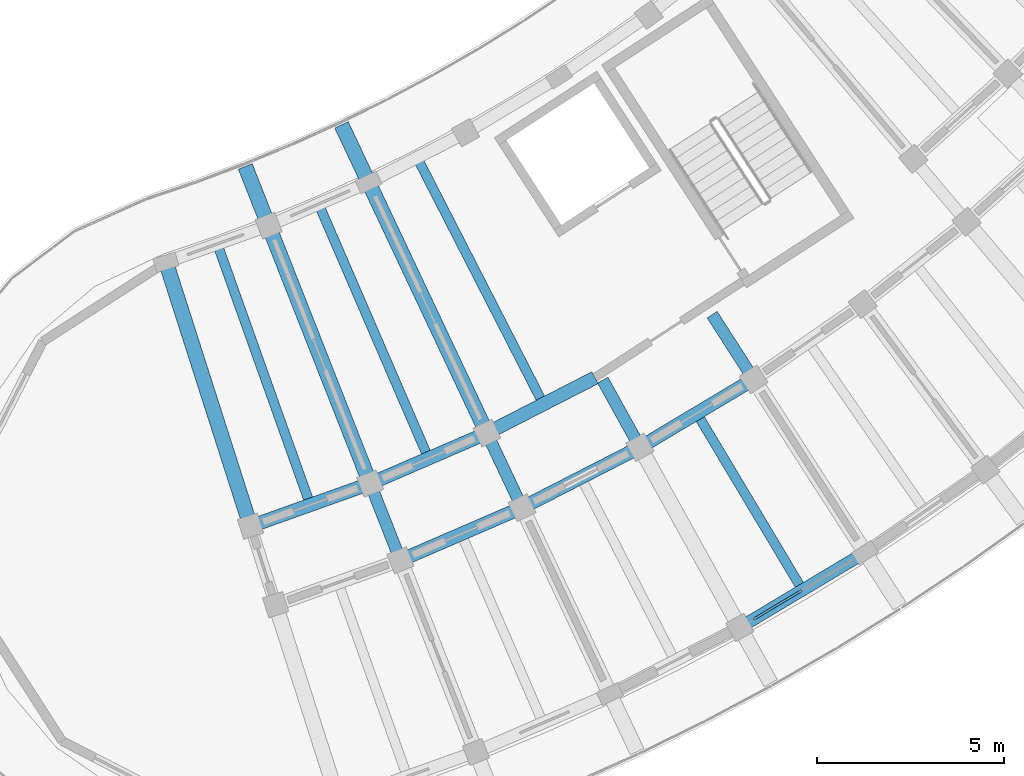
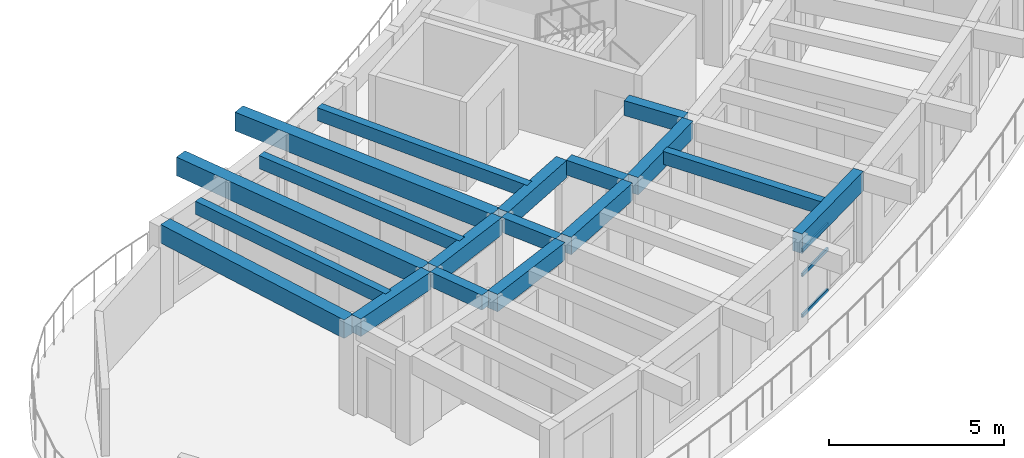
# One storey, part 17 of 78: 18 beams, 3 members, 1 element without a shape of its own.
"""IFC4 building model written with IfcOpenShell, lengths in metres."""

from ifc_helpers import new_model, si_unit, direction, frame, origin, origin_2d, place, context, subcontext, project, spatial, rectangle, hollow_rectangle, extrude, material, material_profile, profile_set, type_object, element, aggregate, save


model = new_model("IFC4")

# Units and contexts
model_context = context("Model", 3, precision=1e-05, world=origin(), true_north=direction((0.0, 1.0)))
body_context = subcontext(model_context, "Body", "Model", "MODEL_VIEW")
ifc_project = project(units=[si_unit("LENGTHUNIT", "METRE"), si_unit("AREAUNIT", "SQUARE_METRE"), si_unit("VOLUMEUNIT", "CUBIC_METRE"), si_unit("PLANEANGLEUNIT", "RADIAN"), si_unit("MASSUNIT", "GRAM", prefix="KILO")], contexts=[model_context])

# Site, building, storey
site_placement = place(None, origin())
site = spatial("IfcSite", under=ifc_project, at=site_placement, CompositionType="ELEMENT")
building_placement = place(site_placement, origin())
building = spatial("IfcBuilding", under=site, at=building_placement, Name="Tanwirah Colonnade Gardens", CompositionType="ELEMENT")
storey_placement = place(building_placement, frame((0.0, 0.0, 22.280029296875)))
storey = spatial("IfcBuildingStorey", under=building, at=storey_placement, Name="L06", CompositionType="ELEMENT", Elevation=22.280029296875)

# Beams
ifc_material_1 = material(Name="Precast concrete C40/50", Category="concrete")
ifc_material_profile_1 = material_profile(ifc_material_1, rectangle(XDim=0.360107421875, YDim=0.610107421875, at=origin_2d()), Name="PC-BM 360x610")
ifc_profile_set_1 = profile_set([ifc_material_profile_1], Name="Precast concrete C40/50")
beam_type_1 = type_object("IfcBeamType", Name="BM-PC300", PredefinedType="BEAM", material=ifc_profile_set_1)
for number, where, z_axis, x_axis, name in (
    (1, (136.948486328125, 15.168701171875, 2.804931640625), (0.941911444877, 0.335861325564, 0.0), (-0.335861325564, 0.941911444877, 0.0), "Block D L06 Circumferential Beam 1-R1"),
    (2, (140.140869140625, 16.3173828125, 2.804931640625), (0.917936292782, 0.396727819032, 0.0), (-0.396727819032, 0.917936292782, 0.0), "Block D L06 Circumferential Beam 2-R1"),
):
    element("IfcBeam", number, at=place(storey_placement, frame(where, z_axis=z_axis, x_axis=x_axis)), inside=storey, type_object=beam_type_1, Name=name, PredefinedType="BEAM", context=body_context, shape_type="SweptSolid", body=[
        extrude(rectangle(XDim=0.360107421875, YDim=0.610107421875, at=origin_2d()), origin(), (0.0, 0.0, 1.0), 3.093017578125),
    ])
beam_1_placement = place(storey_placement, frame((140.947021484375, 14.2705078125, 2.804931640625), z_axis=(0.917943156181, 0.396711938338, 0.0), x_axis=(-0.396711938338, 0.917943156181, 0.0)))
element("IfcBeam", 3, at=beam_1_placement, inside=storey, type_object=beam_type_1, Name="Block D L06 Circumferential Beam 2-R2", PredefinedType="BEAM", context=body_context, shape_type="SweptSolid", body=[
    extrude(rectangle(XDim=0.360107421875, YDim=0.610107421875, at=origin_2d()), origin(), (0.0, 0.0, 1.0), 3.237060546875),
])
beam_2_placement = place(storey_placement, frame((143.2509765625, 17.67236328125, 2.804931640625), z_axis=(0.890027741769, 0.45590637074, 0.0), x_axis=(-0.45590637074, 0.890027741769, 0.0)))
element("IfcBeam", 4, at=beam_2_placement, inside=storey, type_object=beam_type_1, Name="Block D L06 Circumferential Beam 3-R1", PredefinedType="BEAM", context=body_context, shape_type="SweptSolid", body=[
    extrude(rectangle(XDim=0.360107421875, YDim=0.610107421875, at=origin_2d()), origin(), (0.0, 0.0, 1.0), 3.093017578125),
])
beam_3_placement = place(storey_placement, frame((144.189453125, 15.6826171875, 2.804931640625), z_axis=(0.890025451153, 0.45591084249, 0.0), x_axis=(-0.45591084249, 0.890025451153, 0.0)))
element("IfcBeam", 5, at=beam_3_placement, inside=storey, type_object=beam_type_1, Name="Block D L06 Circumferential Beam 3-R2", PredefinedType="BEAM", context=body_context, shape_type="SweptSolid", body=[
    extrude(rectangle(XDim=0.360107421875, YDim=0.610107421875, at=origin_2d()), origin(), (0.0, 0.0, 1.0), 3.237060546875),
])
beam_4_placement = place(storey_placement, frame((147.332763671875, 17.3037109375, 2.804931640625), z_axis=(0.858270604513, 0.513197398111, 0.0), x_axis=(-0.513197398111, 0.858270604513, 0.0)))
element("IfcBeam", 6, at=beam_4_placement, inside=storey, type_object=beam_type_1, Name="Block D L06 Circumferential Beam 4-R2", PredefinedType="BEAM", context=body_context, shape_type="SweptSolid", body=[
    extrude(rectangle(XDim=0.360107421875, YDim=0.610107421875, at=origin_2d()), origin(), (0.0, 0.0, 1.0), 3.23681640625),
])
ifc_material_profile_2 = material_profile(ifc_material_1, rectangle(XDim=0.320068359375, YDim=0.52001953125, at=origin_2d()), Name="PC-BM 320x520")
ifc_profile_set_2 = profile_set([ifc_material_profile_2], Name="Precast concrete C40/50")
beam_type_2 = type_object("IfcBeamType", Name="BM-PC320", PredefinedType="BEAM", material=ifc_profile_set_2)
beam_5_placement = place(storey_placement, frame((140.05810546875, 16.1181640625, 2.849853515625), z_axis=(0.366511033969, -0.930413704746, 0.0), x_axis=(0.930413704746, 0.366511033969, 0.0)))
element("IfcBeam", 7, at=beam_5_placement, inside=storey, type_object=beam_type_2, Name="Block D L06 Corridor Tie Beam 2", PredefinedType="BEAM", context=body_context, shape_type="SweptSolid", body=[
    extrude(rectangle(XDim=0.320068359375, YDim=0.52001953125, at=origin_2d()), origin(), (0.0, 0.0, 1.0), 1.899658203125),
])
beam_6_placement = place(storey_placement, frame((143.181640625, 17.46826171875, 2.849853515625), z_axis=(0.426483812015, -0.904495195172, 0.0), x_axis=(0.904495195172, 0.426483812015, 0.0)))
element("IfcBeam", 8, at=beam_6_placement, inside=storey, type_object=beam_type_2, Name="Block D L06 Corridor Tie Beam 3", PredefinedType="BEAM", context=body_context, shape_type="SweptSolid", body=[
    extrude(rectangle(XDim=0.320068359375, YDim=0.52001953125, at=origin_2d()), origin(), (0.0, 0.0, 1.0), 1.89990234375),
])
beam_7_placement = place(storey_placement, frame((146.210205078125, 19.019775390625, 2.849853515625), z_axis=(0.484791759649, -0.874629607192, 0.0), x_axis=(0.874629607192, 0.484791759649, 0.0)))
element("IfcBeam", 9, at=beam_7_placement, inside=storey, type_object=beam_type_2, Name="Block D L06 Corridor Tie Beam 4", PredefinedType="BEAM", context=body_context, shape_type="SweptSolid", body=[
    extrude(rectangle(XDim=0.320068359375, YDim=0.52001953125, at=origin_2d()), origin(), (0.0, 0.0, 1.0), 1.900146484375),
])
beam_8_placement = place(storey_placement, frame((149.130615234375, 20.765869140625, 2.849853515625), z_axis=(0.540984881989, -0.841032316537, 0.0), x_axis=(0.841032316537, 0.540984881989, 0.0)))
element("IfcBeam", 10, at=beam_8_placement, inside=storey, type_object=beam_type_2, Name="Block D L06 Corridor Tie Beam 5", PredefinedType="BEAM", context=body_context, shape_type="SweptSolid", body=[
    extrude(rectangle(XDim=0.320068359375, YDim=0.52001953125, at=origin_2d()), origin(), (0.0, 0.0, 1.0), 1.89990234375),
])
ifc_material_2 = material(Name="Precast concrete C45/55", Category="concrete")
ifc_material_profile_3 = material_profile(ifc_material_2, rectangle(XDim=0.39990234375, YDim=0.64990234375, at=origin_2d()), Name="PC-BM 400x650")
ifc_profile_set_3 = profile_set([ifc_material_profile_3], Name="Precast concrete C45/55")
beam_type_3 = type_object("IfcBeamType", Name="BM-PC400", PredefinedType="BEAM", material=ifc_profile_set_3)
beam_9_placement = place(storey_placement, frame((136.761474609375, 15.26123046875, 2.784912109375), z_axis=(-0.304868054367, 0.952394597542, 0.0), x_axis=(-0.952394597542, -0.304868054367, 0.0)))
element("IfcBeam", 11, at=beam_9_placement, inside=storey, type_object=beam_type_3, Name="Block D L06 Inner Radial Precast Girder 1", PredefinedType="BEAM", context=body_context, shape_type="SweptSolid", body=[
    extrude(rectangle(XDim=0.39990234375, YDim=0.64990234375, at=origin_2d()), origin(), (0.0, 0.0, 1.0), 7.099853515625),
])
for number, where, z_axis, x_axis, name in (
    (12, (139.947998046875, 16.3974609375, 2.784912109375), (-0.36648945479, 0.930422204984, 0.0), (-0.930422204984, -0.36648945479, 0.0), "Block D L06 Inner Radial Precast Girder 2"),
    (13, (143.0537109375, 17.73974609375, 2.784912109375), (-0.426582468098, 0.904448670689, 0.0), (-0.904448670689, -0.426582468098, 0.0), "Block D L06 Inner Radial Precast Girder 3"),
):
    element("IfcBeam", number, at=place(storey_placement, frame(where, z_axis=z_axis, x_axis=x_axis)), inside=storey, type_object=beam_type_3, Name=name, PredefinedType="BEAM", context=body_context, shape_type="SweptSolid", body=[
        extrude(rectangle(XDim=0.39990234375, YDim=0.64990234375, at=origin_2d()), origin(), (0.0, 0.0, 1.0), 8.949951171875),
    ])

# Curtain wall, members
ifc_material_3 = material(Name="Bronze-anodised aluminium and solar-control low-E glass", Category="aluminium")
curtain_wall_type = type_object("IfcCurtainWallType", Name="CW-LOB", PredefinedType="NOTDEFINED", material=ifc_material_3)
curtain_wall_placement = place(storey_placement, origin())
curtain_wall = element("IfcCurtainWall", 14, at=curtain_wall_placement, inside=storey, type_object=curtain_wall_type, Name="Curtain Wall CW-D-L06-OUT-04", PredefinedType="NOTDEFINED")
ifc_material_4 = material(Name="Bronze-anodised aluminium", Category="aluminium")
ifc_material_profile_4 = material_profile(ifc_material_4, hollow_rectangle(XDim=0.06005859375, YDim=0.1201171875, WallThickness=0.00390625, at=origin_2d()), Name="CW-TRN 60x120x4")
ifc_profile_set_4 = profile_set([ifc_material_profile_4], Name="Bronze-anodised aluminium")
member_type = type_object("IfcMemberType", Name="CWT-60x120", PredefinedType="USERDEFINED", material=ifc_profile_set_4)
member_1_placement = place(storey_placement, frame((150.23095703125, 12.6318359375, 0.030029296875), z_axis=(0.858268220683, 0.513201384805, 0.0), x_axis=(-0.513201384805, 0.858268220683, 0.0)))
member_1 = element("IfcMember", 15, at=member_1_placement, type_object=member_type, Name="CW-LOB transom 1.1", ObjectType="TRANSOM", PredefinedType="USERDEFINED", context=body_context, shape_type="SweptSolid", body=[
    extrude(hollow_rectangle(XDim=0.06005859375, YDim=0.1201171875, WallThickness=0.00390625, at=origin_2d()), origin(), (0.0, 0.0, 1.0), 1.49853515625),
])
member_2_placement = place(storey_placement, frame((150.23095703125, 12.6318359375, 1.4599609375), z_axis=(0.858268220683, 0.513201384805, 0.0), x_axis=(-0.513201384805, 0.858268220683, 0.0)))
member_2 = element("IfcMember", 16, at=member_2_placement, type_object=member_type, Name="CW-LOB transom 1.2", ObjectType="TRANSOM", PredefinedType="USERDEFINED", context=body_context, shape_type="SweptSolid", body=[
    extrude(hollow_rectangle(XDim=0.06005859375, YDim=0.1201171875, WallThickness=0.00390625, at=origin_2d()), origin(), (0.0, 0.0, 1.0), 1.49853515625),
])
member_3_placement = place(storey_placement, frame((150.23095703125, 12.6318359375, 2.324951171875), z_axis=(0.858268220683, 0.513201384805, 0.0), x_axis=(-0.513201384805, 0.858268220683, 0.0)))
member_3 = element("IfcMember", 17, at=member_3_placement, type_object=member_type, Name="CW-LOB transom 1.3", ObjectType="TRANSOM", PredefinedType="USERDEFINED", context=body_context, shape_type="SweptSolid", body=[
    extrude(hollow_rectangle(XDim=0.06005859375, YDim=0.1201171875, WallThickness=0.00390625, at=origin_2d()), origin(), (0.0, 0.0, 1.0), 1.49853515625),
])
aggregate(curtain_wall, [member_1, member_2, member_3])

# Beams
ifc_material_profile_5 = material_profile(ifc_material_1, rectangle(XDim=0.2548828125, YDim=0.455078125, at=origin_2d()), Name="PC-JST 255x455")
ifc_profile_set_5 = profile_set([ifc_material_profile_5], Name="Precast concrete C40/50")
beam_type_4 = type_object("IfcBeamType", Name="JST-PC240", PredefinedType="JOIST", material=ifc_profile_set_5)
beam_10_placement = place(storey_placement, frame((135.969482421875, 22.51904296875, 2.882568359375), z_axis=(0.335861148107, -0.941911508154, 0.0), x_axis=(0.941911508154, 0.335861148107, 0.0)))
element("IfcBeam", 18, at=beam_10_placement, inside=storey, type_object=beam_type_4, Name="Block D L06 Inner Precast Floor Joist 1", PredefinedType="JOIST", context=body_context, shape_type="SweptSolid", body=[
    extrude(rectangle(XDim=0.2548828125, YDim=0.455078125, at=origin_2d()), origin(), (0.0, 0.0, 1.0), 7.16015625),
])
for number, where, z_axis, x_axis, name in (
    (19, (138.68310546875, 23.587890625, 2.882568359375), (0.396736454079, -0.917932560706, 0.0), (0.917932560706, 0.396736454079, 0.0), "Block D L06 Inner Precast Floor Joist 2"),
    (20, (141.321044921875, 24.83203125, 2.882568359375), (0.455921327553, -0.890020080157, 0.0), (0.890020080157, 0.455921327553, 0.0), "Block D L06 Inner Precast Floor Joist 3"),
):
    element("IfcBeam", number, at=place(storey_placement, frame(where, z_axis=z_axis, x_axis=x_axis)), inside=storey, type_object=beam_type_4, Name=name, PredefinedType="JOIST", context=body_context, shape_type="SweptSolid", body=[
        extrude(rectangle(XDim=0.2548828125, YDim=0.455078125, at=origin_2d()), origin(), (0.0, 0.0, 1.0), 7.159912109375),
    ])
beam_11_placement = place(storey_placement, frame((148.79833984375, 18.006591796875, 2.882568359375), z_axis=(0.513157303227, -0.858294577721, 0.0), x_axis=(0.858294577721, 0.513157303227, 0.0)))
element("IfcBeam", 21, at=beam_11_placement, inside=storey, type_object=beam_type_4, Name="Block D L06 Precast Floor Joist 4", PredefinedType="JOIST", context=body_context, shape_type="SweptSolid", body=[
    extrude(rectangle(XDim=0.2548828125, YDim=0.455078125, at=origin_2d()), origin(), (0.0, 0.0, 1.0), 5.260009765625),
])
ifc_material_profile_6 = material_profile(ifc_material_1, rectangle(XDim=0.324951171875, YDim=0.68505859375, at=origin_2d()), Name="PC-SP 325x685")
ifc_profile_set_6 = profile_set([ifc_material_profile_6], Name="Precast concrete C40/50")
beam_type_5 = type_object("IfcBeamType", Name="SP-PC260", PredefinedType="SPANDREL", material=ifc_profile_set_6)
beam_12_placement = place(storey_placement, frame((149.999267578125, 12.493408203125, 2.767578125), z_axis=(0.858282522832, 0.513177465407, 0.0), x_axis=(-0.513177465407, 0.858282522832, 0.0)))
element("IfcBeam", 22, at=beam_12_placement, inside=storey, type_object=beam_type_5, Name="Block D L06 Circumferential Beam 4-R3", PredefinedType="SPANDREL", context=body_context, shape_type="SweptSolid", body=[
    extrude(rectangle(XDim=0.324951171875, YDim=0.68505859375, at=origin_2d()), origin(), (0.0, 0.0, 1.0), 3.5966796875),
])

save(model, "model.ifc")
